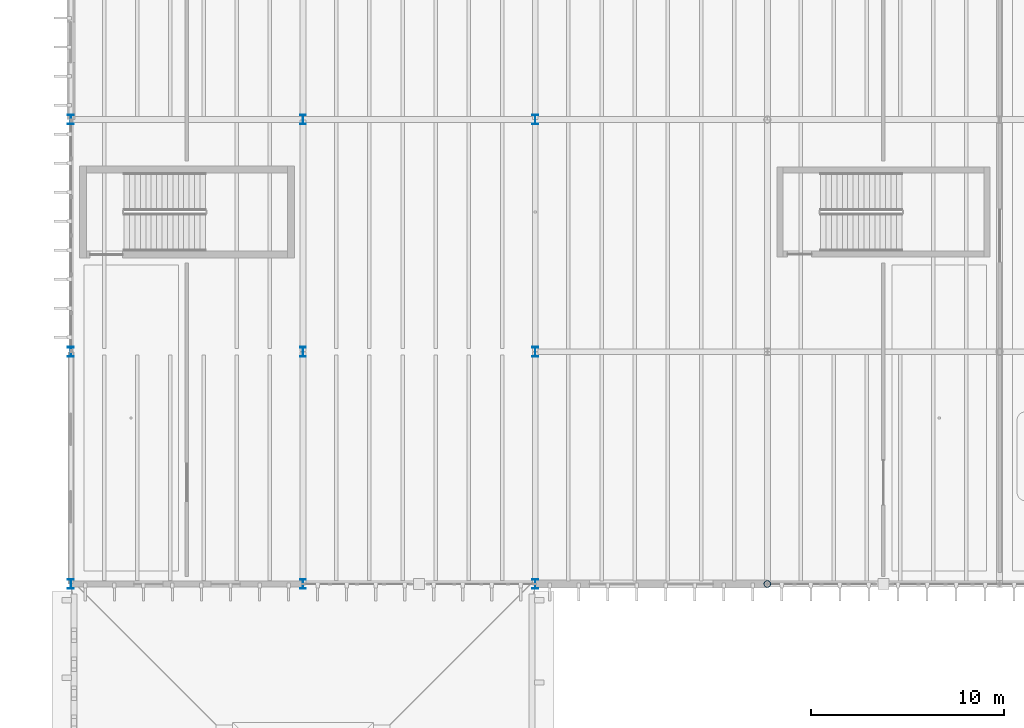
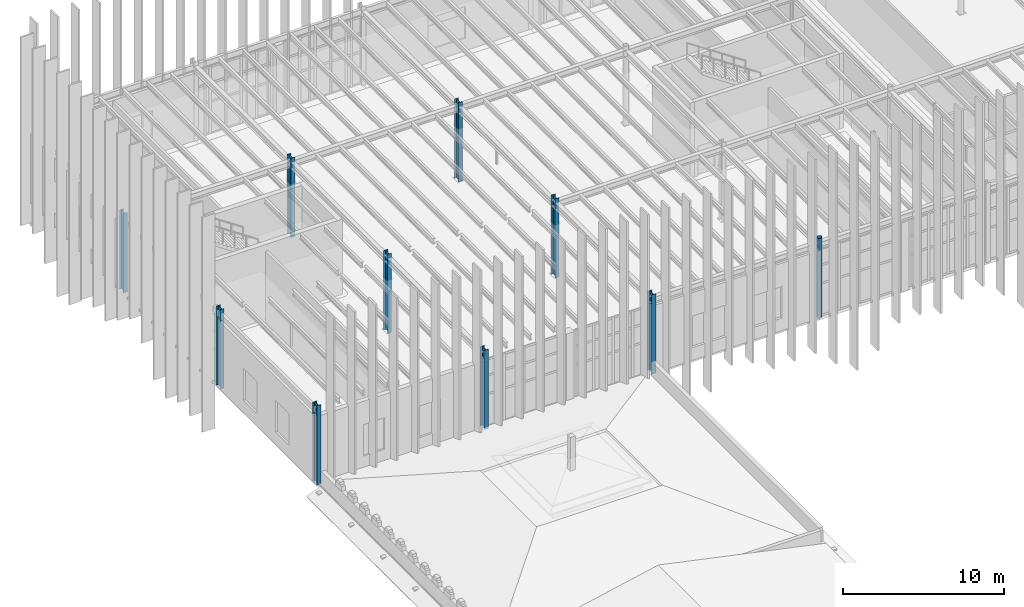
# One storey, part 3 of 83: 10 columns.
"""IFC4 building model written with IfcOpenShell, lengths in metres."""

from ifc_helpers import new_model, si_unit, direction, frame, origin, origin_2d, place, context, subcontext, project, spatial, hollow_circle, i_section, extrude, material, material_profile, profile_set, type_object, element, save


model = new_model("IFC4")

# Units and contexts
model_context = context("Model", 3, precision=1e-05, world=origin(), true_north=direction((0.0, 1.0)))
body_context = subcontext(model_context, "Body", "Model", "MODEL_VIEW")
ifc_project = project(units=[si_unit("LENGTHUNIT", "METRE"), si_unit("AREAUNIT", "SQUARE_METRE"), si_unit("VOLUMEUNIT", "CUBIC_METRE"), si_unit("PLANEANGLEUNIT", "RADIAN"), si_unit("MASSUNIT", "GRAM", prefix="KILO")], contexts=[model_context])

# Site, building, storey
site_placement = place(None, origin())
site = spatial("IfcSite", under=ifc_project, at=site_placement, CompositionType="ELEMENT")
building_placement = place(site_placement, origin())
building = spatial("IfcBuilding", under=site, at=building_placement, Name="Zlatogorsky Bluff Art Gallery", CompositionType="ELEMENT")
storey_placement = place(building_placement, frame((0.0, 0.0, 10.800048828125)))
storey = spatial("IfcBuildingStorey", under=building, at=storey_placement, Name="L02", CompositionType="ELEMENT", Elevation=10.800048828125)

# Columns
ifc_material = material(Name="Steel S355", Category="steel")
ifc_material_profile_1 = material_profile(ifc_material, i_section(OverallWidth=0.300048828125, OverallDepth=0.5, WebThickness=0.014404296875, FlangeThickness=0.028076171875, FilletRadius=0.027099609375, at=origin_2d()), Name="HEB 500")
ifc_profile_set_1 = profile_set([ifc_material_profile_1], Name="Steel S355")
column_type_1 = type_object("IfcColumnType", Name="Column CL-02 HEB 500", PredefinedType="COLUMN", material=ifc_profile_set_1)
for number, where, z_axis, x_axis, name in (
    (1, (0.0, 84.0, 0.0), (0.0, 0.0, 1.0), (1.0, 0.0, 0.0), "Column CL-02 L02 A9"),
    (2, (0.0, 96.0, 0.0), (0.0, 0.0, 1.0), (1.0, 0.0, 0.0), "Column CL-02 L02 A10"),
    (3, (0.0, 108.0, 0.0), (0.0, 0.0, 1.0), (1.0, 0.0, 0.0), "Column CL-02 L02 A11"),
    (4, (12.0, 84.0, 0.0), (0.0, 0.0, 1.0), (1.0, 0.0, 0.0), "Column CL-02 L02 B9"),
    (5, (12.0, 96.0, 0.0), (0.0, 0.0, 1.0), (1.0, 0.0, 0.0), "Column CL-02 L02 B10"),
    (6, (12.0, 108.0, 0.0), (0.0, 0.0, 1.0), (1.0, 0.0, 0.0), "Column CL-02 L02 B11"),
    (7, (24.0, 84.0, 0.0), (0.0, 0.0, 1.0), (1.0, 0.0, 0.0), "Column CL-02 L02 C9"),
    (8, (24.0, 96.0, 0.0), (0.0, 0.0, 1.0), (1.0, 0.0, 0.0), "Column CL-02 L02 C10"),
    (9, (24.0, 108.0, 0.0), (0.0, 0.0, 1.0), (1.0, 0.0, 0.0), "Column CL-02 L02 C11"),
):
    element("IfcColumn", number, at=place(storey_placement, frame(where, z_axis=z_axis, x_axis=x_axis)), inside=storey, type_object=column_type_1, Name=name, PredefinedType="COLUMN", context=body_context, shape_type="SweptSolid", body=[
        extrude(i_section(OverallWidth=0.300048828125, OverallDepth=0.5, WebThickness=0.014404296875, FlangeThickness=0.028076171875, FilletRadius=0.027099609375, at=origin_2d()), origin(), (0.0, 0.0, 1.0), 6.0),
    ])
ifc_material_profile_2 = material_profile(ifc_material, hollow_circle(Radius=0.177734375, WallThickness=0.01611328125, at=origin_2d()), Name="CHS 355.6x16")
ifc_profile_set_2 = profile_set([ifc_material_profile_2], Name="Steel S355")
column_type_2 = type_object("IfcColumnType", Name="Column CL-10 CHS 355.6x16", PredefinedType="COLUMN", material=ifc_profile_set_2)
column_placement = place(storey_placement, frame((36.0, 84.0, 0.0), z_axis=(0.0, 0.0, 1.0), x_axis=(1.0, 0.0, 0.0)))
element("IfcColumn", 10, at=column_placement, inside=storey, type_object=column_type_2, Name="Column CL-10 L02 D9", PredefinedType="COLUMN", context=body_context, shape_type="SweptSolid", body=[
    extrude(hollow_circle(Radius=0.177734375, WallThickness=0.01611328125, at=origin_2d()), origin(), (0.0, 0.0, 1.0), 6.0),
])

save(model, "model.ifc")
